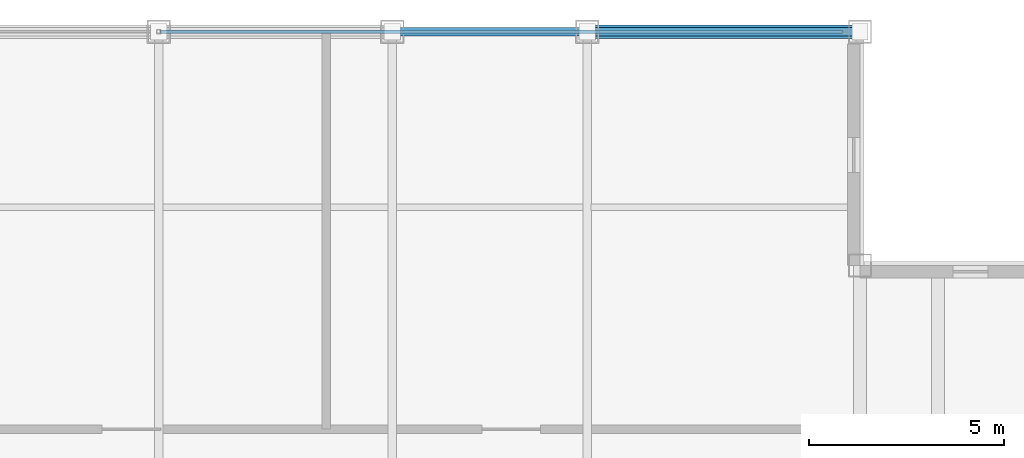
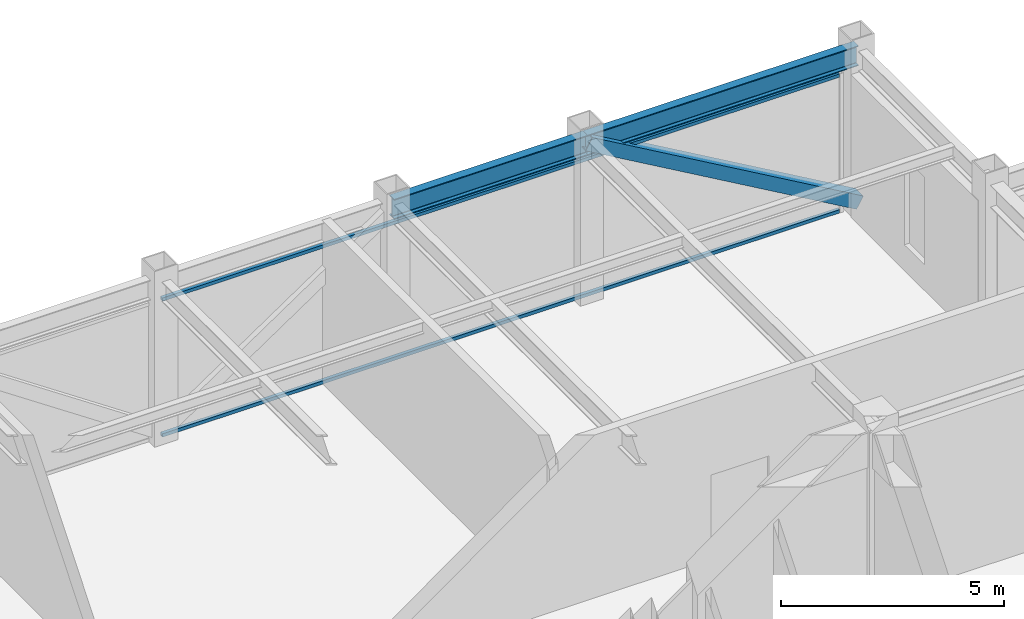
# One storey, part 21 of 27: 3 members, 2 beams, 1 element without a shape of its own.
"""IFC4 building model written with IfcOpenShell, lengths in metres."""

from ifc_helpers import new_model, si_unit, direction, frame, origin, origin_2d, place, context, subcontext, project, spatial, hollow_rectangle, i_section, extrude, source, transform, mapped, material, material_profile, profile_set, type_object, element, aggregate, save


model = new_model("IFC4")

# Units and contexts
model_context = context("Model", 3, precision=1e-05, world=origin(), true_north=direction((0.0, 1.0)))
body_context = subcontext(model_context, "Body", "Model", "MODEL_VIEW")
ifc_project = project(units=[si_unit("LENGTHUNIT", "METRE"), si_unit("AREAUNIT", "SQUARE_METRE"), si_unit("VOLUMEUNIT", "CUBIC_METRE"), si_unit("PLANEANGLEUNIT", "RADIAN"), si_unit("MASSUNIT", "GRAM", prefix="KILO")], contexts=[model_context])

# Site, building, storey
site_placement = place(None, origin())
site = spatial("IfcSite", under=ifc_project, at=site_placement, CompositionType="ELEMENT")
building_placement = place(site_placement, origin())
building = spatial("IfcBuilding", under=site, at=building_placement, Name="Khorayat Bourse Tower", CompositionType="ELEMENT")
storey_placement = place(building_placement, frame((0.0, 0.0, 385.10009765625)))
storey = spatial("IfcBuildingStorey", under=building, at=storey_placement, Name="L91", CompositionType="ELEMENT", Elevation=385.10009765625)

# Beams
ifc_material_1 = material(Name="Steel ASTM A992 Grade 50", Category="steel")
ifc_material_profile_1 = material_profile(ifc_material_1, i_section(OverallWidth=0.214111328125, OverallDepth=0.549072265625, WebThickness=0.0146484375, FlangeThickness=0.023681640625, FilletRadius=0.013916015625, at=origin_2d()), Name="W530X138")
ifc_profile_set_1 = profile_set([ifc_material_profile_1], Name="Steel ASTM A992 Grade 50")
beam_type = type_object("IfcBeamType", Name="BM-SPAN-530", PredefinedType="SPANDREL", material=ifc_profile_set_1)
shared_shape_1 = source(origin(), body_context, "Body", "SweptSolid", [
    extrude(i_section(OverallWidth=0.214111328125, OverallDepth=0.549072265625, WebThickness=0.0146484375, FlangeThickness=0.023681640625, FilletRadius=0.013916015625, at=origin_2d()), origin(), (0.0, 0.0, 1.0), 5.0),
])
beam_1_placement = place(storey_placement, frame((6.0, 24.0, 4.17529296875), z_axis=(1.0, 0.0, 0.0), x_axis=(0.0, 1.0, 0.0)))
element("IfcBeam", 1, at=beam_1_placement, inside=storey, type_object=beam_type, Name="L91 BM-SPAN-530 BM-L91-SPN-041", PredefinedType="SPANDREL", context=body_context, shape_type="MappedRepresentation", body=[
    mapped(shared_shape_1, transform((0.0, 0.0, 0.0), scale=1.0)),
])
shared_shape_2 = source(origin(), body_context, "Body", "SweptSolid", [
    extrude(i_section(OverallWidth=0.214111328125, OverallDepth=0.549072265625, WebThickness=0.0146484375, FlangeThickness=0.023681640625, FilletRadius=0.013916015625, at=origin_2d()), origin(), (0.0, 0.0, 1.0), 7.0),
])
beam_2_placement = place(storey_placement, frame((11.0, 24.0, 4.17529296875), z_axis=(1.0, 0.0, 0.0), x_axis=(0.0, 1.0, 0.0)))
element("IfcBeam", 2, at=beam_2_placement, inside=storey, type_object=beam_type, Name="L91 BM-SPAN-530 BM-L91-SPN-040", PredefinedType="SPANDREL", context=body_context, shape_type="MappedRepresentation", body=[
    mapped(shared_shape_2, transform((0.0, 0.0, 0.0), scale=1.0)),
])

# Member
ifc_material_2 = material(Name="Steel EN 10025-2 S355J2", Category="steel")
ifc_material_profile_2 = material_profile(ifc_material_2, hollow_rectangle(XDim=0.35009765625, YDim=0.35009765625, WallThickness=0.02001953125, at=origin_2d()), Name="HSS 350x350x20")
ifc_profile_set_2 = profile_set([ifc_material_profile_2], Name="Steel EN 10025-2 S355J2")
member_type_1 = type_object("IfcMemberType", Name="MBR-CROWN-350", PredefinedType="USERDEFINED", material=ifc_profile_set_2)
shared_shape_3 = source(origin(), body_context, "Body", "SweptSolid", [
    extrude(hollow_rectangle(XDim=0.35009765625, YDim=0.35009765625, WallThickness=0.02001953125, at=origin_2d()), origin(), (0.0, 0.0, 1.0), 8.087158203125),
])
member_1_placement = place(storey_placement, frame((11.0, 24.0, 4.25), z_axis=(0.865564731219, 0.0, -0.500797060763), x_axis=(0.0, 1.0, 0.0)))
element("IfcMember", 3, at=member_1_placement, inside=storey, type_object=member_type_1, Name="L91 Lantern Crown Frame Member 08", ObjectType="CROWN FRAME", PredefinedType="USERDEFINED", context=body_context, shape_type="MappedRepresentation", body=[
    mapped(shared_shape_3, transform((0.0, 0.0, 0.0), scale=1.0)),
])

# Curtain wall, members
ifc_material_3 = material(Name="Aluminium EN AW-6063 T6", Category="aluminium")
curtain_wall_type = type_object("IfcCurtainWallType", Name="CW-SYS-07", PredefinedType="NOTDEFINED", material=ifc_material_3)
curtain_wall_placement = place(storey_placement, origin())
curtain_wall = element("IfcCurtainWall", 4, at=curtain_wall_placement, inside=storey, type_object=curtain_wall_type, Name="L91 Curtain Wall CW-L91-N1", PredefinedType="NOTDEFINED")
ifc_material_profile_3 = material_profile(ifc_material_3, hollow_rectangle(XDim=0.090087890625, YDim=0.090087890625, WallThickness=0.00390625, at=origin_2d()), Name="ALU 90x90x4")
ifc_profile_set_3 = profile_set([ifc_material_profile_3], Name="Aluminium EN AW-6063 T6")
member_type_2 = type_object("IfcMemberType", Name="CWT-HORZ-90", PredefinedType="USERDEFINED", material=ifc_profile_set_3)
shared_shape_4 = source(origin(), body_context, "Body", "SweptSolid", [
    extrude(hollow_rectangle(XDim=0.090087890625, YDim=0.090087890625, WallThickness=0.00390625, at=origin_2d()), origin(), (0.0, 0.0, 1.0), 17.5),
])
member_2_placement = place(storey_placement, frame((0.050048828125, 24.0, 0.044921875), z_axis=(1.0, 0.0, 0.0), x_axis=(0.0, 1.0, 0.0)))
member_2 = element("IfcMember", 5, at=member_2_placement, type_object=member_type_2, Name="CW-L91-N1 Horizontal Transom 2-1", ObjectType="TRANSOM", PredefinedType="USERDEFINED", context=body_context, shape_type="MappedRepresentation", body=[
    mapped(shared_shape_4, transform((0.0, 0.0, 0.0), scale=1.0)),
])
member_3_placement = place(storey_placement, frame((0.050048828125, 24.0, 3.7548828125), z_axis=(1.0, 0.0, 0.0), x_axis=(0.0, 1.0, 0.0)))
member_3 = element("IfcMember", 6, at=member_3_placement, type_object=member_type_2, Name="CW-L91-N1 Horizontal Transom 2-2", ObjectType="TRANSOM", PredefinedType="USERDEFINED", context=body_context, shape_type="MappedRepresentation", body=[
    mapped(shared_shape_4, transform((0.0, 0.0, 0.0), scale=1.0)),
])
aggregate(curtain_wall, [member_2, member_3])

save(model, "model.ifc")
